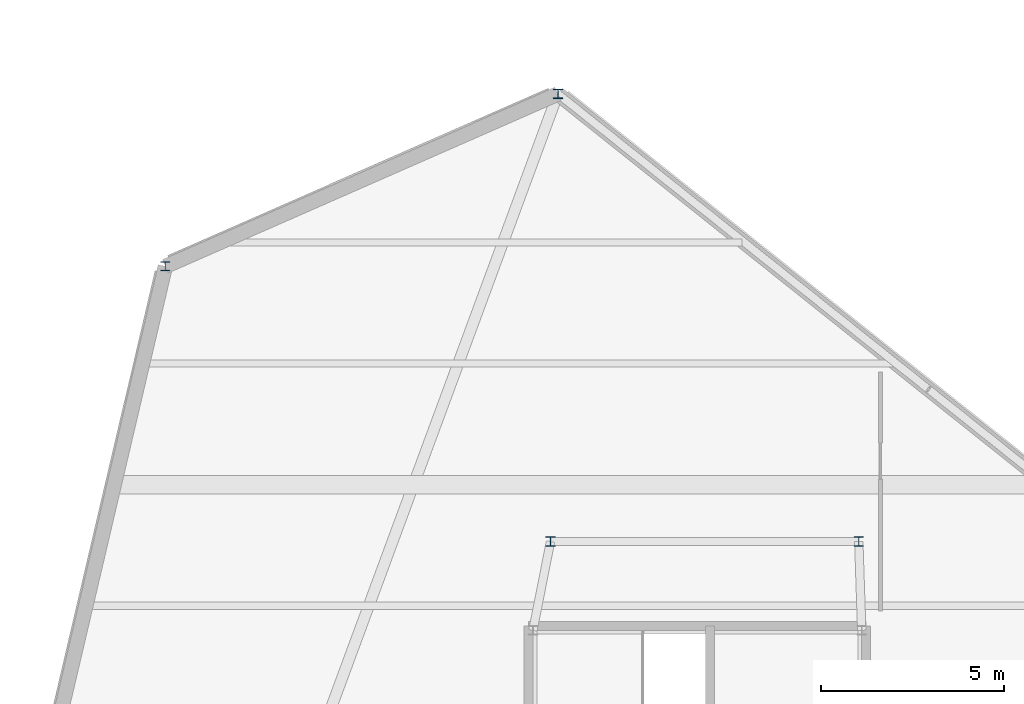
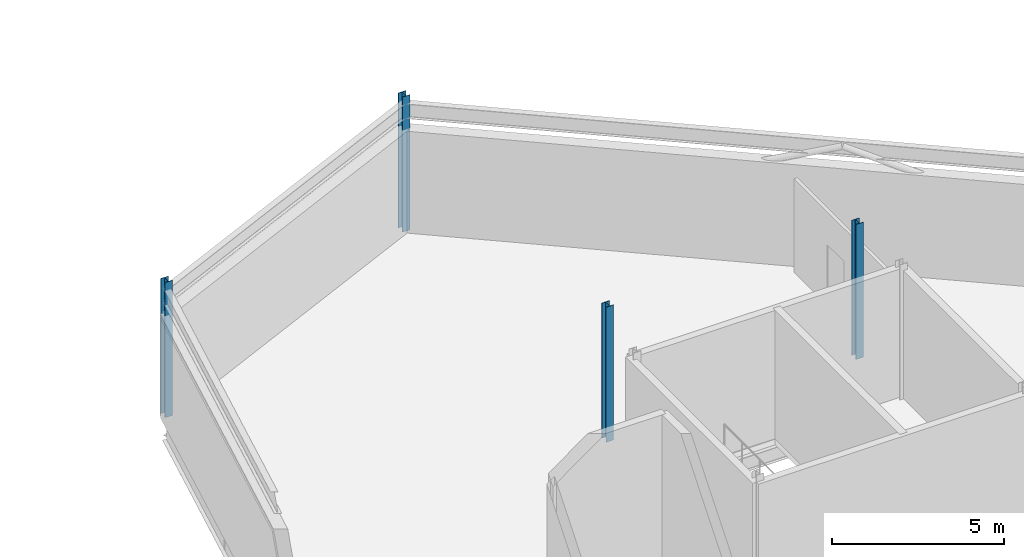
# One storey, part 9 of 76: 4 columns.
"""IFC4 building model written with IfcOpenShell, lengths in metres."""

from ifc_helpers import new_model, si_unit, direction, frame, origin, origin_2d, place, context, subcontext, project, spatial, i_section, extrude, material, material_profile, profile_set, type_object, element, save


model = new_model("IFC4")

# Units and contexts
model_context = context("Model", 3, precision=1e-05, world=origin(), true_north=direction((0.0, 1.0)))
body_context = subcontext(model_context, "Body", "Model", "MODEL_VIEW")
ifc_project = project(units=[si_unit("LENGTHUNIT", "METRE"), si_unit("AREAUNIT", "SQUARE_METRE"), si_unit("VOLUMEUNIT", "CUBIC_METRE"), si_unit("PLANEANGLEUNIT", "RADIAN"), si_unit("MASSUNIT", "GRAM", prefix="KILO")], contexts=[model_context])

# Site, building, storey
site_placement = place(None, origin())
site = spatial("IfcSite", under=ifc_project, at=site_placement, CompositionType="ELEMENT")
building_placement = place(site_placement, origin())
building = spatial("IfcBuilding", under=site, at=building_placement, Name="Tameran Prism Museum", CompositionType="ELEMENT")
storey_placement = place(building_placement, frame((0.0, 0.0, 15.0)))
storey = spatial("IfcBuildingStorey", under=building, at=storey_placement, Name="L03", CompositionType="ELEMENT", Elevation=15.0)

# Columns
ifc_material = material(Name="Steel Grade 300PLUS (300 MPa)", Category="steel")
ifc_material_profile = material_profile(ifc_material, i_section(OverallWidth=0.25390625, OverallDepth=0.25390625, WebThickness=0.008544921875, FlangeThickness=0.01416015625, FilletRadius=0.0126953125, at=origin_2d()))
ifc_profile_set = profile_set([ifc_material_profile])
column_type = type_object("IfcColumnType", Name="COL-UC250B", PredefinedType="COLUMN", material=ifc_profile_set)
for number, where, z_axis, x_axis, name in (
    (1, (31.5, 105.5, 0.0), (0.0, 0.0, 1.0), (1.0, 0.0, 0.0), "Column CV-19 L03"),
    (2, (42.199951171875, 110.199951171875, 0.0), (0.0, 0.0, 1.0), (1.0, 0.0, 0.0), "Column CV-22 L03"),
    (3, (42.0, 98.0, 0.0), (0.0, 0.0, 1.0), (1.0, 0.0, 0.0), "Column CI-03 L03"),
    (4, (50.39990234375, 98.0, 0.0), (0.0, 0.0, 1.0), (1.0, 0.0, 0.0), "Column CI-04 L03"),
):
    element("IfcColumn", number, at=place(storey_placement, frame(where, z_axis=z_axis, x_axis=x_axis)), inside=storey, type_object=column_type, Name=name, PredefinedType="COLUMN", context=body_context, shape_type="SweptSolid", body=[
        extrude(i_section(OverallWidth=0.25390625, OverallDepth=0.25390625, WebThickness=0.008544921875, FlangeThickness=0.01416015625, FilletRadius=0.0126953125, at=origin_2d()), origin(), (0.0, 0.0, 1.0), 4.800048828125),
    ])

save(model, "model.ifc")
